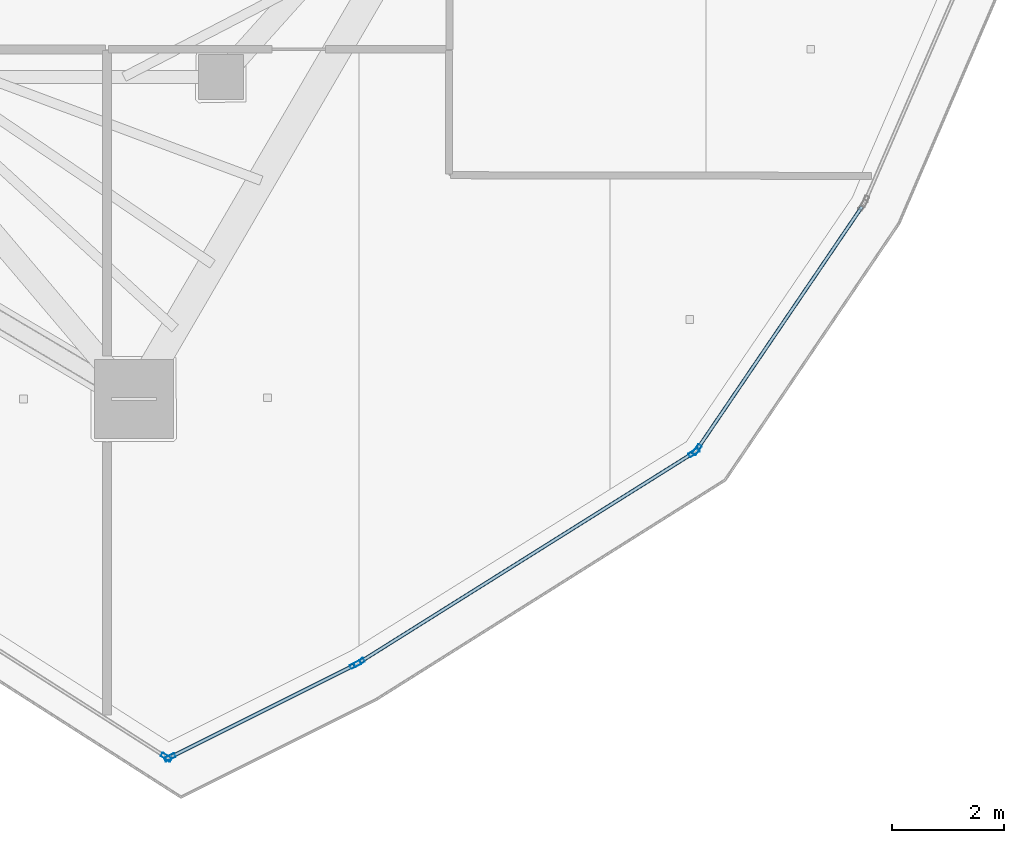
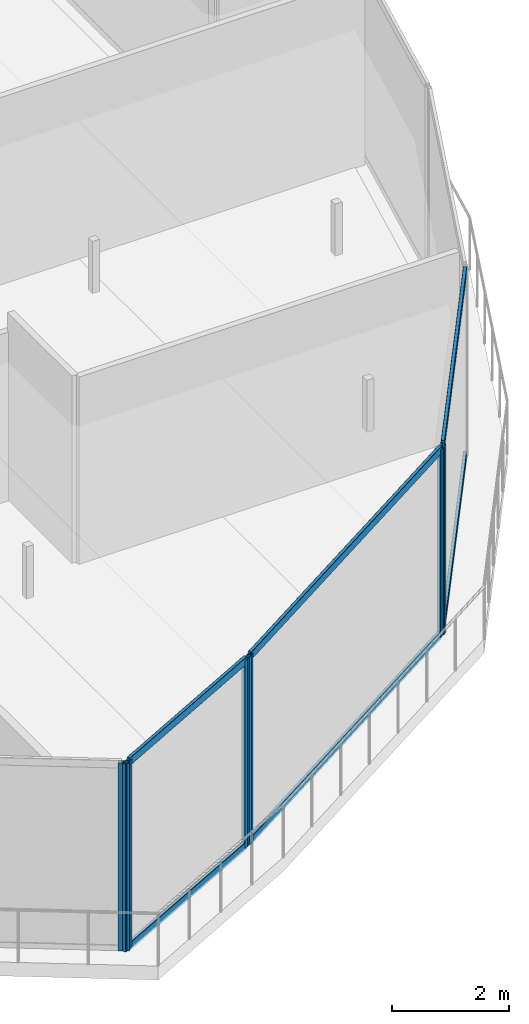
# One storey, part 9 of 30: 12 members, 4 elements without a shape of their own.
"""IFC4 building model written with IfcOpenShell, lengths in metres."""

from ifc_helpers import new_model, si_unit, direction, frame, origin, origin_2d, place, context, subcontext, project, spatial, hollow_rectangle, extrude, material, layer, layer_set, material_profile, profile_set, type_object, element, aggregate, save


model = new_model("IFC4")

# Units and contexts
model_context = context("Model", 3, precision=1e-05, world=origin(), true_north=direction((0.0, 1.0)))
body_context = subcontext(model_context, "Body", "Model", "MODEL_VIEW")
ifc_project = project(units=[si_unit("LENGTHUNIT", "METRE"), si_unit("AREAUNIT", "SQUARE_METRE"), si_unit("VOLUMEUNIT", "CUBIC_METRE"), si_unit("PLANEANGLEUNIT", "RADIAN"), si_unit("MASSUNIT", "GRAM", prefix="KILO")], contexts=[model_context])

# Site, building, storey
site_placement = place(None, origin())
site = spatial("IfcSite", under=ifc_project, at=site_placement, CompositionType="ELEMENT")
building_placement = place(site_placement, origin())
building = spatial("IfcBuilding", under=site, at=building_placement, Name="Qorvath Tower", CompositionType="ELEMENT")
storey_placement = place(building_placement, frame((0.0, 0.0, 289.199951171875)))
storey = spatial("IfcBuildingStorey", under=building, at=storey_placement, Name="L67", CompositionType="ELEMENT", Elevation=289.199951171875)

# Curtain wall, member
ifc_material_1 = material(Name="Anodised aluminium and triple low-E glass", Category="aluminium")
ifc_layer = layer(ifc_material_1, 0.179931640625)
ifc_layer_set = layer_set([ifc_layer], Name="CW-SYS-5")
curtain_wall_type = type_object("IfcCurtainWallType", Name="CW-SYS-5", PredefinedType="NOTDEFINED", material=ifc_layer_set)
curtain_wall_1_placement = place(storey_placement, origin())
curtain_wall_1 = element("IfcCurtainWall", 1, at=curtain_wall_1_placement, inside=storey, type_object=curtain_wall_type, Name="Curtain Wall CW-5 CW-T-L67-2.1", PredefinedType="NOTDEFINED")
ifc_material_2 = material(Name="Anodised aluminium 6063-T6", Category="aluminium")
ifc_material_profile_1 = material_profile(ifc_material_2, hollow_rectangle(XDim=0.074951171875, YDim=0.199951171875, WallThickness=0.00390625, InnerFilletRadius=0.00390625, OuterFilletRadius=0.008056640625, at=origin_2d()), Name="CWM 200x75")
ifc_profile_set_1 = profile_set([ifc_material_profile_1], Name="Anodised aluminium 6063-T6")
member_type_1 = type_object("IfcMemberType", Name="CWM-200", PredefinedType="MULLION", material=ifc_profile_set_1)
member_1_placement = place(storey_placement, frame((-18.176513671875, -23.544921875, 0.0), z_axis=(0.0, 0.0, 1.0), x_axis=(0.538536873294, 0.842601944042, 0.0)))
member_1 = element("IfcMember", 2, at=member_1_placement, type_object=member_type_1, Name="CW-5 mullion 8", PredefinedType="MULLION", context=body_context, shape_type="SweptSolid", body=[
    extrude(hollow_rectangle(XDim=0.074951171875, YDim=0.199951171875, WallThickness=0.00390625, InnerFilletRadius=0.00390625, OuterFilletRadius=0.008056640625, at=origin_2d()), origin(), (0.0, 0.0, 1.0), 3.91015625),
])
aggregate(curtain_wall_1, [member_1])

# Curtain wall, members
curtain_wall_2_placement = place(storey_placement, origin())
curtain_wall_2 = element("IfcCurtainWall", 3, at=curtain_wall_2_placement, inside=storey, type_object=curtain_wall_type, Name="Curtain Wall CW-5 CW-T-L67-3.1", PredefinedType="NOTDEFINED")
member_2_placement = place(storey_placement, frame((-18.111572265625, -23.54833984375, 0.0), z_axis=(0.0, 0.0, 1.0), x_axis=(-0.447256104786, 0.894405935094, 0.0)))
member_2 = element("IfcMember", 4, at=member_2_placement, type_object=member_type_1, Name="CW-5 mullion 1", PredefinedType="MULLION", context=body_context, shape_type="SweptSolid", body=[
    extrude(hollow_rectangle(XDim=0.074951171875, YDim=0.199951171875, WallThickness=0.00390625, InnerFilletRadius=0.00390625, OuterFilletRadius=0.008056640625, at=origin_2d()), origin(), (0.0, 0.0, 1.0), 3.91015625),
])
member_3_placement = place(storey_placement, frame((-14.812255859375, -21.898681640625, 0.0), z_axis=(0.0, 0.0, 1.0), x_axis=(-0.447256104786, 0.894405935094, 0.0)))
member_3 = element("IfcMember", 5, at=member_3_placement, type_object=member_type_1, Name="CW-5 mullion 2", PredefinedType="MULLION", context=body_context, shape_type="SweptSolid", body=[
    extrude(hollow_rectangle(XDim=0.074951171875, YDim=0.199951171875, WallThickness=0.00390625, InnerFilletRadius=0.00390625, OuterFilletRadius=0.008056640625, at=origin_2d()), origin(), (0.0, 0.0, 1.0), 3.91015625),
])

curtain_wall_3_placement = place(storey_placement, origin())
curtain_wall_3 = element("IfcCurtainWall", 6, at=curtain_wall_3_placement, inside=storey, type_object=curtain_wall_type, Name="Curtain Wall CW-5 CW-T-L67-4.1", PredefinedType="NOTDEFINED")
member_4_placement = place(storey_placement, frame((-14.746826171875, -21.86181640625, 0.0), z_axis=(0.0, 0.0, 1.0), x_axis=(-0.531405871405, 0.847117347147, 0.0)))
member_4 = element("IfcMember", 7, at=member_4_placement, type_object=member_type_1, Name="CW-5 mullion 1", PredefinedType="MULLION", context=body_context, shape_type="SweptSolid", body=[
    extrude(hollow_rectangle(XDim=0.074951171875, YDim=0.199951171875, WallThickness=0.00390625, InnerFilletRadius=0.00390625, OuterFilletRadius=0.008056640625, at=origin_2d()), origin(), (0.0, 0.0, 1.0), 3.91015625),
])
member_5_placement = place(storey_placement, frame((-8.795166015625, -18.12841796875, 0.0), z_axis=(0.0, 0.0, 1.0), x_axis=(-0.531405871405, 0.847117347147, 0.0)))
member_5 = element("IfcMember", 8, at=member_5_placement, type_object=member_type_1, Name="CW-5 mullion 2", PredefinedType="MULLION", context=body_context, shape_type="SweptSolid", body=[
    extrude(hollow_rectangle(XDim=0.074951171875, YDim=0.199951171875, WallThickness=0.00390625, InnerFilletRadius=0.00390625, OuterFilletRadius=0.008056640625, at=origin_2d()), origin(), (0.0, 0.0, 1.0), 3.91015625),
])

# Curtain wall, member
curtain_wall_4_placement = place(storey_placement, origin())
curtain_wall_4 = element("IfcCurtainWall", 9, at=curtain_wall_4_placement, inside=storey, type_object=curtain_wall_type, Name="Curtain Wall CW-5 CW-T-L67-5.1", PredefinedType="NOTDEFINED")
member_6_placement = place(storey_placement, frame((-8.742431640625, -18.077392578125, 0.0), z_axis=(0.0, 0.0, 1.0), x_axis=(-0.82717162684, 0.561949374723, 0.0)))
member_6 = element("IfcMember", 10, at=member_6_placement, type_object=member_type_1, Name="CW-5 mullion 1", PredefinedType="MULLION", context=body_context, shape_type="SweptSolid", body=[
    extrude(hollow_rectangle(XDim=0.074951171875, YDim=0.199951171875, WallThickness=0.00390625, InnerFilletRadius=0.00390625, OuterFilletRadius=0.008056640625, at=origin_2d()), origin(), (0.0, 0.0, 1.0), 3.91015625),
])

# Member
ifc_material_3 = material(Name="Anodised aluminium 6063-T6", Category="aluminium")
ifc_material_profile_2 = material_profile(ifc_material_3, hollow_rectangle(XDim=0.06494140625, YDim=0.159912109375, WallThickness=0.00341796875, InnerFilletRadius=0.00341796875, OuterFilletRadius=0.007080078125, at=origin_2d()), Name="CWT 160x65")
ifc_profile_set_2 = profile_set([ifc_material_profile_2], Name="Anodised aluminium 6063-T6")
member_type_2 = type_object("IfcMemberType", Name="CWT-160", PredefinedType="USERDEFINED", material=ifc_profile_set_2)
member_7_placement = place(storey_placement, frame((-18.077880859375, -23.53173828125, 0.032470703125), z_axis=(0.894386653147, 0.44729466202, 0.0), x_axis=(-0.44729466202, 0.894386653147, 0.0)))
member_7 = element("IfcMember", 11, at=member_7_placement, type_object=member_type_2, Name="CW-5 transom 1.1", ObjectType="TRANSOM", PredefinedType="USERDEFINED", context=body_context, shape_type="SweptSolid", body=[
    extrude(hollow_rectangle(XDim=0.06494140625, YDim=0.159912109375, WallThickness=0.00341796875, InnerFilletRadius=0.00341796875, OuterFilletRadius=0.007080078125, at=origin_2d()), origin(), (0.0, 0.0, 1.0), 3.61376953125),
])

member_8_placement = place(storey_placement, frame((-18.077880859375, -23.53173828125, 3.877685546875), z_axis=(0.894386653147, 0.44729466202, 0.0), x_axis=(-0.44729466202, 0.894386653147, 0.0)))
member_8 = element("IfcMember", 12, at=member_8_placement, type_object=member_type_2, Name="CW-5 transom 1.2", ObjectType="TRANSOM", PredefinedType="USERDEFINED", context=body_context, shape_type="SweptSolid", body=[
    extrude(hollow_rectangle(XDim=0.06494140625, YDim=0.159912109375, WallThickness=0.00341796875, InnerFilletRadius=0.00341796875, OuterFilletRadius=0.007080078125, at=origin_2d()), origin(), (0.0, 0.0, 1.0), 3.61376953125),
])

aggregate(curtain_wall_2, [member_2, member_3, member_7, member_8])

member_9_placement = place(storey_placement, frame((-14.715087890625, -21.842041015625, 0.032470703125), z_axis=(0.847109159603, 0.531418922995, 0.0), x_axis=(-0.531418922995, 0.847109159603, 0.0)))
member_9 = element("IfcMember", 13, at=member_9_placement, type_object=member_type_2, Name="CW-5 transom 1.1", ObjectType="TRANSOM", PredefinedType="USERDEFINED", context=body_context, shape_type="SweptSolid", body=[
    extrude(hollow_rectangle(XDim=0.06494140625, YDim=0.159912109375, WallThickness=0.00341796875, InnerFilletRadius=0.00341796875, OuterFilletRadius=0.007080078125, at=origin_2d()), origin(), (0.0, 0.0, 1.0), 6.950927734375),
])

member_10_placement = place(storey_placement, frame((-14.715087890625, -21.842041015625, 3.877685546875), z_axis=(0.847109159603, 0.531418922995, 0.0), x_axis=(-0.531418922995, 0.847109159603, 0.0)))
member_10 = element("IfcMember", 14, at=member_10_placement, type_object=member_type_2, Name="CW-5 transom 1.2", ObjectType="TRANSOM", PredefinedType="USERDEFINED", context=body_context, shape_type="SweptSolid", body=[
    extrude(hollow_rectangle(XDim=0.06494140625, YDim=0.159912109375, WallThickness=0.00341796875, InnerFilletRadius=0.00341796875, OuterFilletRadius=0.007080078125, at=origin_2d()), origin(), (0.0, 0.0, 1.0), 6.950927734375),
])

aggregate(curtain_wall_3, [member_4, member_5, member_9, member_10])

member_11_placement = place(storey_placement, frame((-8.72119140625, -18.04638671875, 0.032470703125), z_axis=(0.561951762031, 0.827170004987, 0.0), x_axis=(-0.827170004987, 0.561951762031, 0.0)))
member_11 = element("IfcMember", 15, at=member_11_placement, type_object=member_type_2, Name="CW-5 transom 1.1", ObjectType="TRANSOM", PredefinedType="USERDEFINED", context=body_context, shape_type="SweptSolid", body=[
    extrude(hollow_rectangle(XDim=0.06494140625, YDim=0.159912109375, WallThickness=0.00341796875, InnerFilletRadius=0.00341796875, OuterFilletRadius=0.007080078125, at=origin_2d()), origin(), (0.0, 0.0, 1.0), 5.1826171875),
])

member_12_placement = place(storey_placement, frame((-8.72119140625, -18.04638671875, 3.877685546875), z_axis=(0.561951762031, 0.827170004987, 0.0), x_axis=(-0.827170004987, 0.561951762031, 0.0)))
member_12 = element("IfcMember", 16, at=member_12_placement, type_object=member_type_2, Name="CW-5 transom 1.2", ObjectType="TRANSOM", PredefinedType="USERDEFINED", context=body_context, shape_type="SweptSolid", body=[
    extrude(hollow_rectangle(XDim=0.06494140625, YDim=0.159912109375, WallThickness=0.00341796875, InnerFilletRadius=0.00341796875, OuterFilletRadius=0.007080078125, at=origin_2d()), origin(), (0.0, 0.0, 1.0), 5.1826171875),
])

aggregate(curtain_wall_4, [member_6, member_11, member_12])

save(model, "model.ifc")
